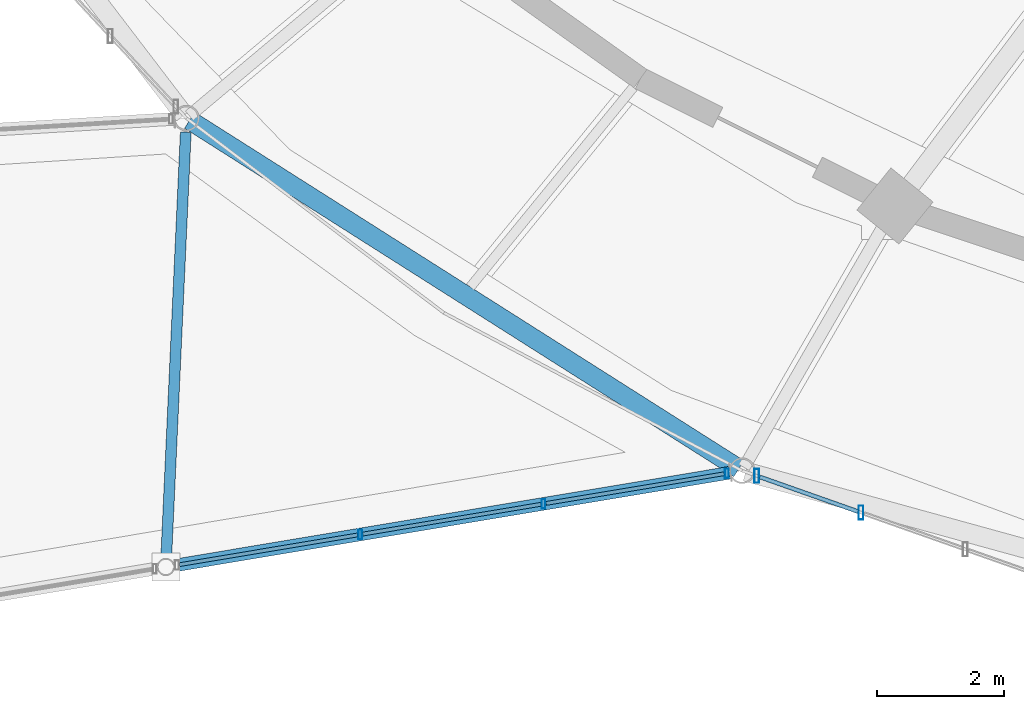
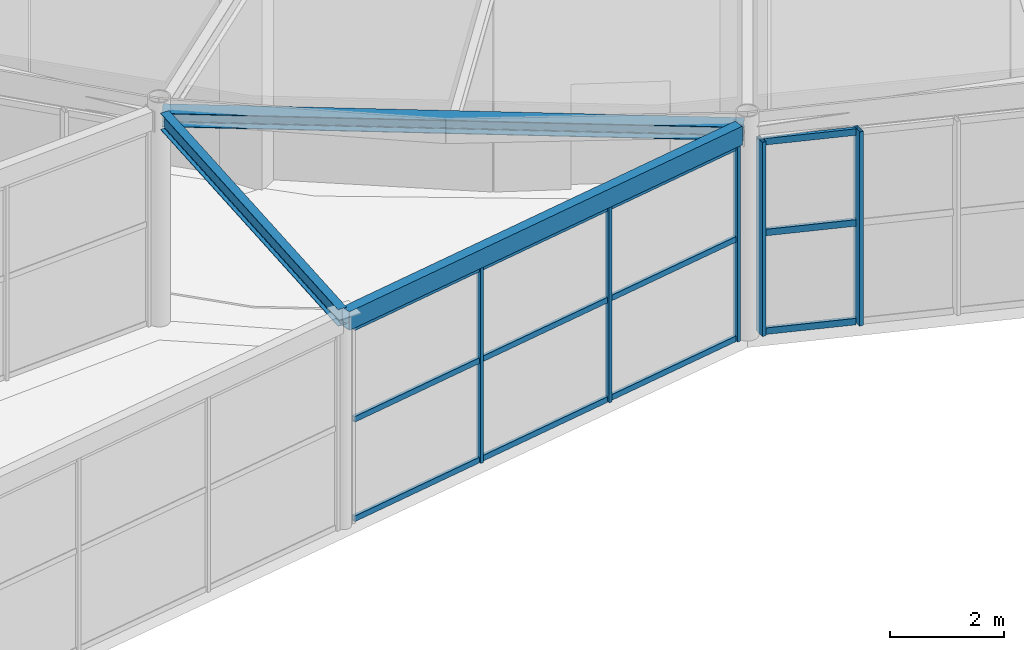
# One storey, part 21 of 100: 17 members, 3 beams, 2 elements without a shape of their own.
"""IFC4 building model written with IfcOpenShell, lengths in metres."""

from ifc_helpers import new_model, si_unit, direction, frame, origin, origin_2d, place, context, subcontext, project, spatial, hollow_rectangle, i_section, extrude, material, material_profile, profile_set, type_object, element, aggregate, save


model = new_model("IFC4")

# Units and contexts
model_context = context("Model", 3, precision=1e-05, world=origin(), true_north=direction((0.0, 1.0)))
body_context = subcontext(model_context, "Body", "Model", "MODEL_VIEW")
ifc_project = project(units=[si_unit("LENGTHUNIT", "METRE"), si_unit("AREAUNIT", "SQUARE_METRE"), si_unit("VOLUMEUNIT", "CUBIC_METRE"), si_unit("PLANEANGLEUNIT", "RADIAN"), si_unit("MASSUNIT", "GRAM", prefix="KILO")], contexts=[model_context])

# Site, building, storey
site_placement = place(None, origin())
site = spatial("IfcSite", under=ifc_project, at=site_placement, CompositionType="ELEMENT")
building_placement = place(site_placement, origin())
building = spatial("IfcBuilding", under=site, at=building_placement, Name="Tarnveldt Headland Concert Hall", CompositionType="ELEMENT")
storey_placement = place(building_placement, frame((0.0, 0.0, 4.800048828125)))
storey = spatial("IfcBuildingStorey", under=building, at=storey_placement, Name="L01", CompositionType="ELEMENT", Elevation=4.800048828125)

# Curtain wall, members
ifc_material_1 = material(Name="Marine-anodised aluminium EN AW-6063-T6", Category="aluminium")
curtain_wall_type_1 = type_object("IfcCurtainWallType", Name="CW-L2", PredefinedType="NOTDEFINED", material=ifc_material_1)
curtain_wall_1_placement = place(storey_placement, origin())
curtain_wall_1 = element("IfcCurtainWall", 1, at=curtain_wall_1_placement, inside=storey, type_object=curtain_wall_type_1, Name="Curtain wall CW-L01-174", PredefinedType="NOTDEFINED")
ifc_material_profile_1 = material_profile(ifc_material_1, hollow_rectangle(XDim=0.06005859375, YDim=0.14990234375, WallThickness=0.00390625, at=origin_2d()), Name="ALU MULLION 60x150x4", Category="aluminium")
ifc_profile_set_1 = profile_set([ifc_material_profile_1], Name="Marine-anodised aluminium EN AW-6063-T6")
member_type_1 = type_object("IfcMemberType", Name="ML-150", PredefinedType="MULLION", material=ifc_profile_set_1)
member_1_placement = place(storey_placement, frame((61.102783203125, 32.02099609375, 0.0), z_axis=(0.0, 0.0, 1.0), x_axis=(1.0, 0.0, 0.0)))
member_1 = element("IfcMember", 2, at=member_1_placement, type_object=member_type_1, Name="Mullion CW-L01-174-2", PredefinedType="MULLION", context=body_context, shape_type="SweptSolid", body=[
    extrude(hollow_rectangle(XDim=0.06005859375, YDim=0.14990234375, WallThickness=0.00390625, at=origin_2d()), origin(), (0.0, 0.0, 1.0), 4.19287109375),
])
member_2_placement = place(storey_placement, frame((63.9814453125, 32.501708984375, 0.0), z_axis=(0.0, 0.0, 1.0), x_axis=(1.0, 0.0, 0.0)))
member_2 = element("IfcMember", 3, at=member_2_placement, type_object=member_type_1, Name="Mullion CW-L01-174-3", PredefinedType="MULLION", context=body_context, shape_type="SweptSolid", body=[
    extrude(hollow_rectangle(XDim=0.06005859375, YDim=0.14990234375, WallThickness=0.00390625, at=origin_2d()), origin(), (0.0, 0.0, 1.0), 4.19287109375),
])
member_3_placement = place(storey_placement, frame((66.860107421875, 32.982421875, 0.0), z_axis=(0.0, 0.0, 1.0), x_axis=(1.0, 0.0, 0.0)))
member_3 = element("IfcMember", 4, at=member_3_placement, type_object=member_type_1, Name="Mullion CW-L01-174-4", PredefinedType="MULLION", context=body_context, shape_type="SweptSolid", body=[
    extrude(hollow_rectangle(XDim=0.06005859375, YDim=0.14990234375, WallThickness=0.00390625, at=origin_2d()), origin(), (0.0, 0.0, 1.0), 4.19287109375),
])

curtain_wall_type_2 = type_object("IfcCurtainWallType", Name="CW-F2", PredefinedType="NOTDEFINED", material=ifc_material_1)
curtain_wall_2_placement = place(storey_placement, origin())
curtain_wall_2 = element("IfcCurtainWall", 5, at=curtain_wall_2_placement, inside=storey, type_object=curtain_wall_type_2, Name="Curtain wall CW-L01-049", PredefinedType="NOTDEFINED")
ifc_material_profile_2 = material_profile(ifc_material_1, hollow_rectangle(XDim=0.074951171875, YDim=0.219970703125, WallThickness=0.0048828125, at=origin_2d()), Name="ALU MULLION 75x220x5", Category="aluminium")
ifc_profile_set_2 = profile_set([ifc_material_profile_2], Name="Marine-anodised aluminium EN AW-6063-T6")
member_type_2 = type_object("IfcMemberType", Name="ML-200", PredefinedType="MULLION", material=ifc_profile_set_2)
member_4_placement = place(storey_placement, frame((67.329345703125, 32.941650390625, 0.0), z_axis=(0.0, 0.0, 1.0), x_axis=(1.0, 0.0, 0.0)))
member_4 = element("IfcMember", 6, at=member_4_placement, type_object=member_type_2, Name="Mullion CW-L01-049-1", PredefinedType="MULLION", context=body_context, shape_type="SweptSolid", body=[
    extrude(hollow_rectangle(XDim=0.074951171875, YDim=0.219970703125, WallThickness=0.0048828125, at=origin_2d()), origin(), (0.0, 0.0, 1.0), 4.159912109375),
])
member_5_placement = place(storey_placement, frame((68.967529296875, 32.364013671875, 0.0), z_axis=(0.0, 0.0, 1.0), x_axis=(1.0, 0.0, 0.0)))
member_5 = element("IfcMember", 7, at=member_5_placement, type_object=member_type_2, Name="Mullion CW-L01-049-2", PredefinedType="MULLION", context=body_context, shape_type="SweptSolid", body=[
    extrude(hollow_rectangle(XDim=0.074951171875, YDim=0.219970703125, WallThickness=0.0048828125, at=origin_2d()), origin(), (0.0, 0.0, 1.0), 4.159912109375),
])

# Beams
ifc_material_2 = material(Name="Steel S355", Category="steel")
ifc_material_profile_3 = material_profile(ifc_material_2, i_section(OverallWidth=0.300048828125, OverallDepth=0.2900390625, WebThickness=0.008544921875, FlangeThickness=0.013916015625, FilletRadius=0.027099609375, at=origin_2d()), Name="HEA300", Category="steel")
ifc_profile_set_3 = profile_set([ifc_material_profile_3], Name="Steel S355")
beam_type_1 = type_object("IfcBeamType", Name="SB-HEA300", PredefinedType="SPANDREL", material=ifc_profile_set_3)
beam_1_placement = place(storey_placement, frame((58.42431640625, 38.52685546875, 4.39501953125), z_axis=(0.844390967344, -0.535727444012, 0.0), x_axis=(0.535727444012, 0.844390967344, 0.0)))
element("IfcBeam", 8, at=beam_1_placement, inside=storey, type_object=beam_type_1, Name="Framing beam L01-711", PredefinedType="SPANDREL", context=body_context, shape_type="SweptSolid", body=[
    extrude(i_section(OverallWidth=0.300048828125, OverallDepth=0.2900390625, WebThickness=0.008544921875, FlangeThickness=0.013916015625, FilletRadius=0.027099609375, at=origin_2d()), origin(), (0.0, 0.0, 1.0), 10.21435546875),
])
ifc_material_profile_4 = material_profile(ifc_material_2, i_section(OverallWidth=0.169921875, OverallDepth=0.360107421875, WebThickness=0.008056640625, FlangeThickness=0.0126953125, FilletRadius=0.01806640625, at=origin_2d()), Name="IPE360", Category="steel")
ifc_profile_set_4 = profile_set([ifc_material_profile_4], Name="Steel S355")
beam_type_2 = type_object("IfcBeamType", Name="SB-IPE360", PredefinedType="JOIST", material=ifc_profile_set_4)
beam_2_placement = place(storey_placement, frame((58.052734375, 31.5712890625, 4.425048828125), z_axis=(0.04587352032, 0.998947255932, 0.0), x_axis=(-0.998947255932, 0.04587352032, 0.0)))
element("IfcBeam", 9, at=beam_2_placement, inside=storey, type_object=beam_type_2, Name="Framing beam BM-LKX2-L01", PredefinedType="JOIST", context=body_context, shape_type="SweptSolid", body=[
    extrude(i_section(OverallWidth=0.169921875, OverallDepth=0.360107421875, WebThickness=0.008056640625, FlangeThickness=0.0126953125, FilletRadius=0.01806640625, at=origin_2d()), origin(), (0.0, 0.0, 1.0), 6.77490234375),
])
ifc_material_profile_5 = material_profile(ifc_material_2, hollow_rectangle(XDim=0.199951171875, YDim=0.39990234375, WallThickness=0.01611328125, at=origin_2d()), Name="RHS 400x200x16", Category="steel")
ifc_profile_set_5 = profile_set([ifc_material_profile_5], Name="Steel S355")
beam_type_3 = type_object("IfcBeamType", Name="SB-RHS400", PredefinedType="BEAM", material=ifc_profile_set_5)
beam_3_placement = place(storey_placement, frame((58.089599609375, 31.517822265625, 4.405029296875), z_axis=(0.986337741606, 0.164735726194, 0.0), x_axis=(-0.164735726194, 0.986337741606, 0.0)))
element("IfcBeam", 10, at=beam_3_placement, inside=storey, type_object=beam_type_3, Name="Framing beam L01-913", PredefinedType="BEAM", context=body_context, shape_type="SweptSolid", body=[
    extrude(hollow_rectangle(XDim=0.199951171875, YDim=0.39990234375, WallThickness=0.01611328125, at=origin_2d()), origin(), (0.0, 0.0, 1.0), 8.93505859375),
])

# Member
ifc_material_profile_6 = material_profile(ifc_material_1, hollow_rectangle(XDim=0.06005859375, YDim=0.1201171875, WallThickness=0.00390625, at=origin_2d()), Name="ALU TRANSOM 60x120x4", Category="aluminium")
ifc_profile_set_6 = profile_set([ifc_material_profile_6], Name="Marine-anodised aluminium EN AW-6063-T6")
member_type_3 = type_object("IfcMemberType", Name="TR-110", PredefinedType="MEMBER", material=ifc_profile_set_6)
member_6_placement = place(storey_placement, frame((58.265380859375, 31.54736328125, 0.050048828125), z_axis=(0.986347328157, 0.16467831745, 0.0), x_axis=(-0.16467831745, 0.986347328157, 0.0)))
member_6 = element("IfcMember", 11, at=member_6_placement, type_object=member_type_3, Name="Transom CW-L01-174-1-1", PredefinedType="MEMBER", context=body_context, shape_type="SweptSolid", body=[
    extrude(hollow_rectangle(XDim=0.06005859375, YDim=0.1201171875, WallThickness=0.00390625, at=origin_2d()), origin(), (0.0, 0.0, 1.0), 2.834716796875),
])

member_7_placement = place(storey_placement, frame((58.265380859375, 31.54736328125, 2.180419921875), z_axis=(0.986347328157, 0.16467831745, 0.0), x_axis=(-0.16467831745, 0.986347328157, 0.0)))
member_7 = element("IfcMember", 12, at=member_7_placement, type_object=member_type_3, Name="Transom CW-L01-174-1-2", PredefinedType="MEMBER", context=body_context, shape_type="SweptSolid", body=[
    extrude(hollow_rectangle(XDim=0.06005859375, YDim=0.1201171875, WallThickness=0.00390625, at=origin_2d()), origin(), (0.0, 0.0, 1.0), 2.834716796875),
])

member_8_placement = place(storey_placement, frame((58.265380859375, 31.54736328125, 4.14306640625), z_axis=(0.986347328157, 0.16467831745, 0.0), x_axis=(-0.16467831745, 0.986347328157, 0.0)))
member_8 = element("IfcMember", 13, at=member_8_placement, type_object=member_type_3, Name="Transom CW-L01-174-1-3", PredefinedType="MEMBER", context=body_context, shape_type="SweptSolid", body=[
    extrude(hollow_rectangle(XDim=0.06005859375, YDim=0.1201171875, WallThickness=0.00390625, at=origin_2d()), origin(), (0.0, 0.0, 1.0), 2.834716796875),
])

member_9_placement = place(storey_placement, frame((61.144287109375, 32.028076171875, 0.050048828125), z_axis=(0.986344992136, 0.164692308529, 0.0), x_axis=(-0.164692308529, 0.986344992136, 0.0)))
member_9 = element("IfcMember", 14, at=member_9_placement, type_object=member_type_3, Name="Transom CW-L01-174-2-1", PredefinedType="MEMBER", context=body_context, shape_type="SweptSolid", body=[
    extrude(hollow_rectangle(XDim=0.06005859375, YDim=0.1201171875, WallThickness=0.00390625, at=origin_2d()), origin(), (0.0, 0.0, 1.0), 2.83447265625),
])

member_10_placement = place(storey_placement, frame((61.144287109375, 32.028076171875, 2.180419921875), z_axis=(0.986344992136, 0.164692308529, 0.0), x_axis=(-0.164692308529, 0.986344992136, 0.0)))
member_10 = element("IfcMember", 15, at=member_10_placement, type_object=member_type_3, Name="Transom CW-L01-174-2-2", PredefinedType="MEMBER", context=body_context, shape_type="SweptSolid", body=[
    extrude(hollow_rectangle(XDim=0.06005859375, YDim=0.1201171875, WallThickness=0.00390625, at=origin_2d()), origin(), (0.0, 0.0, 1.0), 2.83447265625),
])

member_11_placement = place(storey_placement, frame((61.144287109375, 32.028076171875, 4.14306640625), z_axis=(0.986344992136, 0.164692308529, 0.0), x_axis=(-0.164692308529, 0.986344992136, 0.0)))
member_11 = element("IfcMember", 16, at=member_11_placement, type_object=member_type_3, Name="Transom CW-L01-174-2-3", PredefinedType="MEMBER", context=body_context, shape_type="SweptSolid", body=[
    extrude(hollow_rectangle(XDim=0.06005859375, YDim=0.1201171875, WallThickness=0.00390625, at=origin_2d()), origin(), (0.0, 0.0, 1.0), 2.83447265625),
])

member_12_placement = place(storey_placement, frame((64.02294921875, 32.5087890625, 0.050048828125), z_axis=(0.986344992136, 0.164692308529, 0.0), x_axis=(-0.164692308529, 0.986344992136, 0.0)))
member_12 = element("IfcMember", 17, at=member_12_placement, type_object=member_type_3, Name="Transom CW-L01-174-3-1", PredefinedType="MEMBER", context=body_context, shape_type="SweptSolid", body=[
    extrude(hollow_rectangle(XDim=0.06005859375, YDim=0.1201171875, WallThickness=0.00390625, at=origin_2d()), origin(), (0.0, 0.0, 1.0), 2.83447265625),
])

member_13_placement = place(storey_placement, frame((64.02294921875, 32.5087890625, 2.180419921875), z_axis=(0.986344992136, 0.164692308529, 0.0), x_axis=(-0.164692308529, 0.986344992136, 0.0)))
member_13 = element("IfcMember", 18, at=member_13_placement, type_object=member_type_3, Name="Transom CW-L01-174-3-2", PredefinedType="MEMBER", context=body_context, shape_type="SweptSolid", body=[
    extrude(hollow_rectangle(XDim=0.06005859375, YDim=0.1201171875, WallThickness=0.00390625, at=origin_2d()), origin(), (0.0, 0.0, 1.0), 2.83447265625),
])

member_14_placement = place(storey_placement, frame((64.02294921875, 32.5087890625, 4.14306640625), z_axis=(0.986344992136, 0.164692308529, 0.0), x_axis=(-0.164692308529, 0.986344992136, 0.0)))
member_14 = element("IfcMember", 19, at=member_14_placement, type_object=member_type_3, Name="Transom CW-L01-174-3-3", PredefinedType="MEMBER", context=body_context, shape_type="SweptSolid", body=[
    extrude(hollow_rectangle(XDim=0.06005859375, YDim=0.1201171875, WallThickness=0.00390625, at=origin_2d()), origin(), (0.0, 0.0, 1.0), 2.83447265625),
])

aggregate(curtain_wall_1, [member_1, member_2, member_3, member_6, member_7, member_8, member_9, member_10, member_11, member_12, member_13, member_14])

ifc_material_profile_7 = material_profile(ifc_material_1, hollow_rectangle(XDim=0.06494140625, YDim=0.139892578125, WallThickness=0.00390625, at=origin_2d()), Name="ALU TRANSOM 65x140x4", Category="aluminium")
ifc_profile_set_7 = profile_set([ifc_material_profile_7], Name="Marine-anodised aluminium EN AW-6063-T6")
member_type_4 = type_object("IfcMemberType", Name="TR-140", PredefinedType="MEMBER", material=ifc_profile_set_7)
member_15_placement = place(storey_placement, frame((67.376220703125, 32.92529296875, 0.050048828125), z_axis=(0.943086608154, -0.332547213971, 0.0), x_axis=(0.332547213971, 0.943086608154, 0.0)))
member_15 = element("IfcMember", 20, at=member_15_placement, type_object=member_type_4, Name="Transom CW-L01-049-1-1", PredefinedType="MEMBER", context=body_context, shape_type="SweptSolid", body=[
    extrude(hollow_rectangle(XDim=0.06494140625, YDim=0.139892578125, WallThickness=0.00390625, at=origin_2d()), origin(), (0.0, 0.0, 1.0), 1.637939453125),
])

member_16_placement = place(storey_placement, frame((67.376220703125, 32.92529296875, 2.1630859375), z_axis=(0.943086608154, -0.332547213971, 0.0), x_axis=(0.332547213971, 0.943086608154, 0.0)))
member_16 = element("IfcMember", 21, at=member_16_placement, type_object=member_type_4, Name="Transom CW-L01-049-1-2", PredefinedType="MEMBER", context=body_context, shape_type="SweptSolid", body=[
    extrude(hollow_rectangle(XDim=0.06494140625, YDim=0.139892578125, WallThickness=0.00390625, at=origin_2d()), origin(), (0.0, 0.0, 1.0), 1.637939453125),
])

member_17_placement = place(storey_placement, frame((67.376220703125, 32.92529296875, 4.10986328125), z_axis=(0.943086608154, -0.332547213971, 0.0), x_axis=(0.332547213971, 0.943086608154, 0.0)))
member_17 = element("IfcMember", 22, at=member_17_placement, type_object=member_type_4, Name="Transom CW-L01-049-1-3", PredefinedType="MEMBER", context=body_context, shape_type="SweptSolid", body=[
    extrude(hollow_rectangle(XDim=0.06494140625, YDim=0.139892578125, WallThickness=0.00390625, at=origin_2d()), origin(), (0.0, 0.0, 1.0), 1.637939453125),
])

aggregate(curtain_wall_2, [member_4, member_5, member_15, member_16, member_17])

save(model, "model.ifc")
